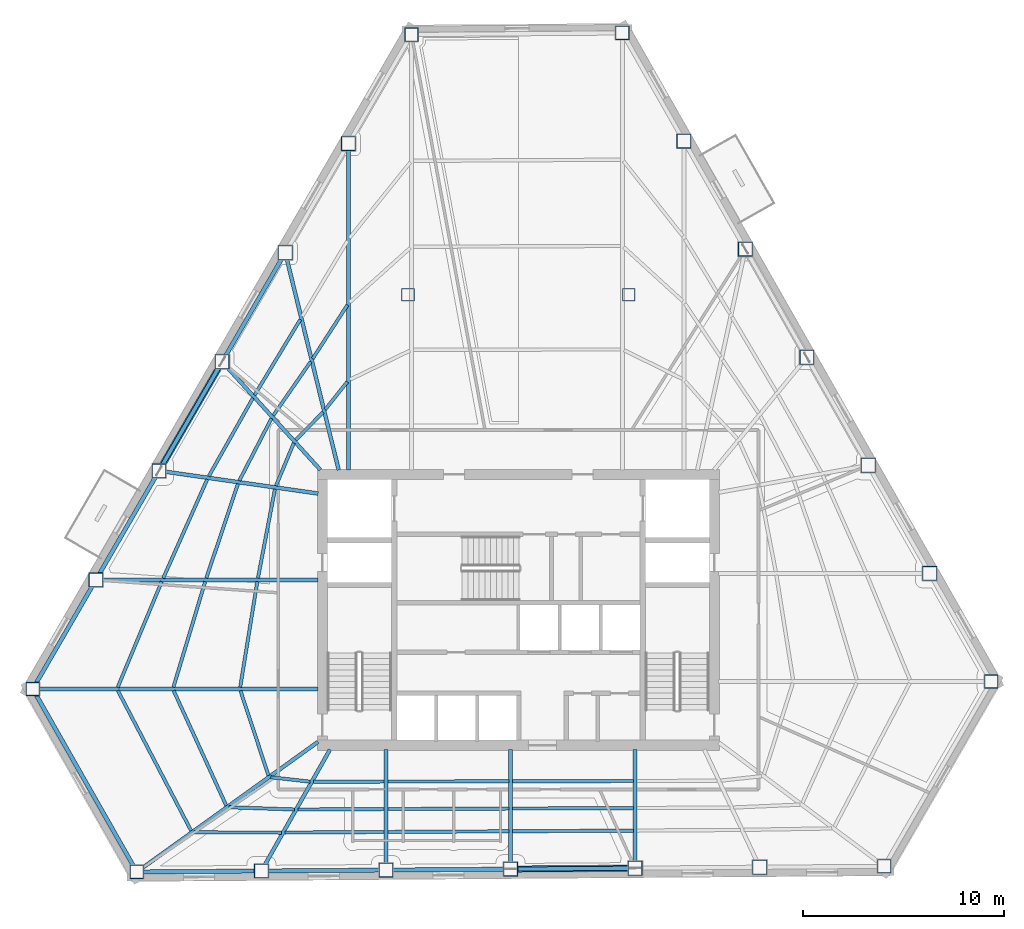
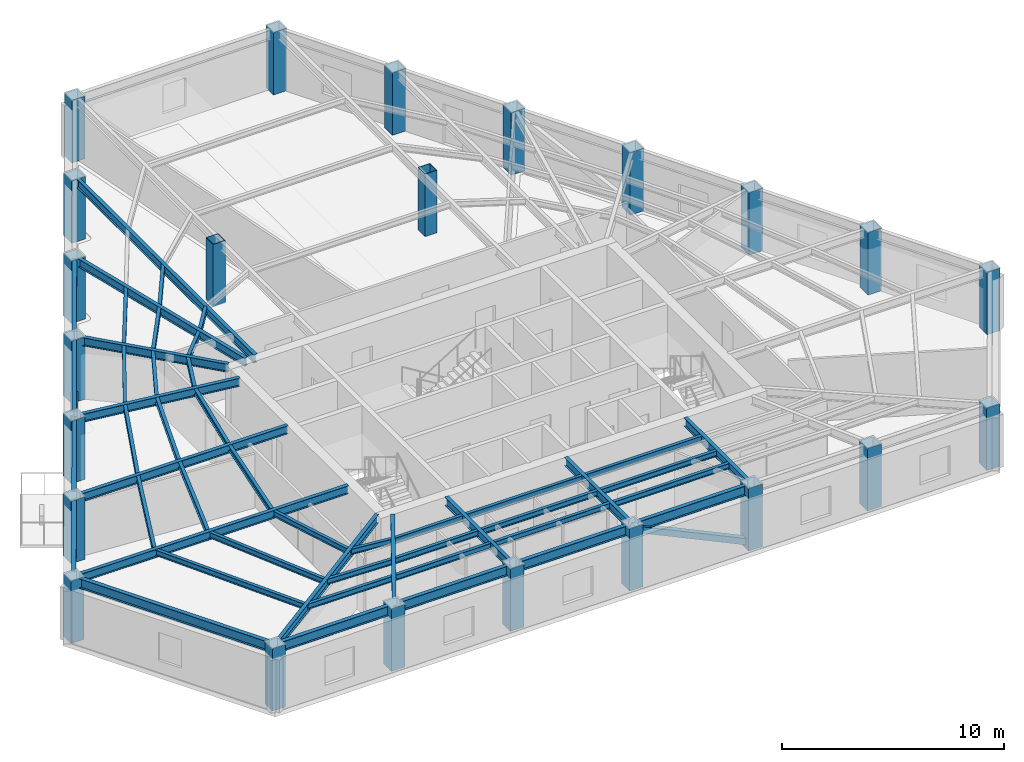
# One storey, part 1 of 10: 49 beams, 23 columns, 2 members.
"""IFC4 building model written with IfcOpenShell, lengths in metres."""

from ifc_helpers import new_model, si_unit, direction, frame, origin, origin_2d, place, context, subcontext, project, spatial, hollow_rectangle, i_section, extrude, material, material_profile, profile_set, type_object, element, save


model = new_model("IFC4")

# Units and contexts
model_context = context("Model", 3, precision=1e-05, world=origin(), true_north=direction((0.0, 1.0)))
body_context = subcontext(model_context, "Body", "Model", "MODEL_VIEW")
ifc_project = project(units=[si_unit("LENGTHUNIT", "METRE"), si_unit("AREAUNIT", "SQUARE_METRE"), si_unit("VOLUMEUNIT", "CUBIC_METRE"), si_unit("PLANEANGLEUNIT", "RADIAN"), si_unit("MASSUNIT", "GRAM", prefix="KILO")], contexts=[model_context])

# Site, building, storey
site_placement = place(None, origin())
site = spatial("IfcSite", under=ifc_project, at=site_placement, CompositionType="ELEMENT")
building_placement = place(site_placement, origin())
building = spatial("IfcBuilding", under=site, at=building_placement, Name="Kavelnor Concourse Tower", CompositionType="ELEMENT")
storey_placement = place(building_placement, frame((0.0, 0.0, 150.949951171875)))
storey = spatial("IfcBuildingStorey", under=building, at=storey_placement, Name="L38", CompositionType="ELEMENT", Elevation=150.949951171875)

# Columns
ifc_material = material(Name="Steel Grade 350", Category="steel")
ifc_material_profile_1 = material_profile(ifc_material, hollow_rectangle(XDim=0.679931640625, YDim=0.679931640625, WallThickness=0.030029296875, at=origin_2d()), Name="SHS 680x680x30")
ifc_profile_set_1 = profile_set([ifc_material_profile_1], Name="Steel Grade 350")
column_type_1 = type_object("IfcColumnType", Name="COL-FOLD-Z2", PredefinedType="COLUMN", material=ifc_profile_set_1)
for number, where, z_axis, x_axis, name in (
    (1, (32.672607421875, 44.76513671875, 0.0), (0.0, 0.0, 1.0), (1.0, 0.0, 0.0), "L38 Perimeter Corner-Fold Column F0-B0"),
    (2, (13.79931640625, 12.155029296875, 0.0), (0.0, 0.0, 1.0), (1.0, 0.0, 0.0), "L38 Perimeter Corner-Fold Column F0-B6"),
    (3, (18.984619140625, 3.03759765625, 0.0), (0.0, 0.0, 1.0), (1.0, 0.0, 0.0), "L38 Perimeter Corner-Fold Column F1-B0"),
    (4, (56.231689453125, 3.31884765625, 0.0), (0.0, 0.0, 1.0), (1.0, 0.0, 0.0), "L38 Perimeter Corner-Fold Column F1-B6"),
    (5, (61.5615234375, 12.5283203125, 0.0), (0.0, 0.0, 1.0), (1.0, 0.0, 0.0), "L38 Perimeter Corner-Fold Column F2-B0"),
    (6, (43.1826171875, 44.844482421875, 0.0), (0.0, 0.0, 1.0), (1.0, 0.0, 0.0), "L38 Perimeter Corner-Fold Column F2-B6"),
):
    element("IfcColumn", number, at=place(storey_placement, frame(where, z_axis=z_axis, x_axis=x_axis)), inside=storey, type_object=column_type_1, Name=name, PredefinedType="COLUMN", context=body_context, shape_type="SweptSolid", body=[
        extrude(hollow_rectangle(XDim=0.679931640625, YDim=0.679931640625, WallThickness=0.030029296875, at=origin_2d()), origin(), (0.0, 0.0, 1.0), 3.429931640625),
    ])
ifc_material_profile_2 = material_profile(ifc_material, hollow_rectangle(XDim=0.719970703125, YDim=0.719970703125, WallThickness=0.031982421875, at=origin_2d()), Name="SHS 720x720x32")
ifc_profile_set_2 = profile_set([ifc_material_profile_2], Name="Steel Grade 350")
column_type_2 = type_object("IfcColumnType", Name="COL-TUBE-Z2", PredefinedType="COLUMN", material=ifc_profile_set_2)
for number, where, z_axis, x_axis, name in (
    (7, (29.527099609375, 39.330078125, 0.0), (0.0, 0.0, 1.0), (1.0, 0.0, 0.0), "L38 Perimeter Framed-Tube Column F0-B1"),
    (8, (26.381591796875, 33.89501953125, 0.0), (0.0, 0.0, 1.0), (1.0, 0.0, 0.0), "L38 Perimeter Framed-Tube Column F0-B2"),
    (9, (23.236083984375, 28.460205078125, 0.0), (0.0, 0.0, 1.0), (1.0, 0.0, 0.0), "L38 Perimeter Framed-Tube Column F0-B3"),
    (10, (20.09033203125, 23.025146484375, 0.0), (0.0, 0.0, 1.0), (1.0, 0.0, 0.0), "L38 Perimeter Framed-Tube Column F0-B4"),
    (11, (16.94482421875, 17.590087890625, 0.0), (0.0, 0.0, 1.0), (1.0, 0.0, 0.0), "L38 Perimeter Framed-Tube Column F0-B5"),
    (12, (25.1923828125, 3.08447265625, 0.0), (0.0, 0.0, 1.0), (1.0, 0.0, 0.0), "L38 Perimeter Framed-Tube Column F1-B1"),
    (13, (31.400146484375, 3.13134765625, 0.0), (0.0, 0.0, 1.0), (1.0, 0.0, 0.0), "L38 Perimeter Framed-Tube Column F1-B2"),
    (14, (37.608154296875, 3.17822265625, 0.0), (0.0, 0.0, 1.0), (1.0, 0.0, 0.0), "L38 Perimeter Framed-Tube Column F1-B3"),
    (15, (43.81591796875, 3.22509765625, 0.0), (0.0, 0.0, 1.0), (1.0, 0.0, 0.0), "L38 Perimeter Framed-Tube Column F1-B4"),
    (16, (50.023681640625, 3.27197265625, 0.0), (0.0, 0.0, 1.0), (1.0, 0.0, 0.0), "L38 Perimeter Framed-Tube Column F1-B5"),
    (17, (58.498291015625, 17.914306640625, 0.0), (0.0, 0.0, 1.0), (1.0, 0.0, 0.0), "L38 Perimeter Framed-Tube Column F2-B1"),
    (18, (55.435302734375, 23.30029296875, 0.0), (0.0, 0.0, 1.0), (1.0, 0.0, 0.0), "L38 Perimeter Framed-Tube Column F2-B2"),
    (19, (52.3720703125, 28.686279296875, 0.0), (0.0, 0.0, 1.0), (1.0, 0.0, 0.0), "L38 Perimeter Framed-Tube Column F2-B3"),
    (20, (49.308837890625, 34.072509765625, 0.0), (0.0, 0.0, 1.0), (1.0, 0.0, 0.0), "L38 Perimeter Framed-Tube Column F2-B4"),
    (21, (46.245849609375, 39.45849609375, 0.0), (0.0, 0.0, 1.0), (1.0, 0.0, 0.0), "L38 Perimeter Framed-Tube Column F2-B5"),
):
    element("IfcColumn", number, at=place(storey_placement, frame(where, z_axis=z_axis, x_axis=x_axis)), inside=storey, type_object=column_type_2, Name=name, PredefinedType="COLUMN", context=body_context, shape_type="SweptSolid", body=[
        extrude(hollow_rectangle(XDim=0.719970703125, YDim=0.719970703125, WallThickness=0.031982421875, at=origin_2d()), origin(), (0.0, 0.0, 1.0), 3.429931640625),
    ])
ifc_material_profile_3 = material_profile(ifc_material, hollow_rectangle(XDim=0.639892578125, YDim=0.639892578125, WallThickness=0.028076171875, at=origin_2d()), Name="SHS 640x640x28")
ifc_profile_set_3 = profile_set([ifc_material_profile_3], Name="Steel Grade 350")
column_type_3 = type_object("IfcColumnType", Name="COL-TUBE-Z3", PredefinedType="COLUMN", material=ifc_profile_set_3)
for number, where, z_axis, x_axis, name in (
    (22, (32.5, 31.800048828125, 0.0), (0.0, 0.0, 1.0), (1.0, 0.0, 0.0), "L38 North Interior Gravity Column BC-NW"),
    (23, (43.5, 31.800048828125, 0.0), (0.0, 0.0, 1.0), (1.0, 0.0, 0.0), "L38 North Interior Gravity Column BC-NE"),
):
    element("IfcColumn", number, at=place(storey_placement, frame(where, z_axis=z_axis, x_axis=x_axis)), inside=storey, type_object=column_type_3, Name=name, PredefinedType="COLUMN", context=body_context, shape_type="SweptSolid", body=[
        extrude(hollow_rectangle(XDim=0.639892578125, YDim=0.639892578125, WallThickness=0.028076171875, at=origin_2d()), origin(), (0.0, 0.0, 1.0), 3.429931640625),
    ])

# Beams
ifc_material_profile_4 = material_profile(ifc_material, i_section(OverallWidth=0.166015625, OverallDepth=0.306884765625, WebThickness=0.006591796875, FlangeThickness=0.01171875, at=origin_2d()), Name="310UB46")
ifc_profile_set_4 = profile_set([ifc_material_profile_4], Name="Steel Grade 350")
beam_type_1 = type_object("IfcBeamType", Name="BM-JOIST-310", PredefinedType="JOIST", material=ifc_profile_set_4)
beam_1_placement = place(storey_placement, frame((24.150146484375, 12.070556640625, 3.276611328125), z_axis=(0.313391820226, -0.949623908195, 0.0), x_axis=(0.949623908195, 0.313391820226, 0.0)))
element("IfcBeam", 24, at=beam_1_placement, inside=storey, type_object=beam_type_1, Name="L38 Secondary Composite Joist 01-1", PredefinedType="JOIST", context=body_context, shape_type="SweptSolid", body=[
    extrude(i_section(OverallWidth=0.166015625, OverallDepth=0.306884765625, WebThickness=0.006591796875, FlangeThickness=0.01171875, at=origin_2d()), origin(), (0.0, 0.0, 1.0), 4.4443359375),
])
beam_2_placement = place(storey_placement, frame((20.818359375, 12.07421875, 3.276611328125), z_axis=(0.416157072078, -0.909292742388, 0.0), x_axis=(0.909292742388, 0.416157072078, 0.0)))
element("IfcBeam", 25, at=beam_2_placement, inside=storey, type_object=beam_type_1, Name="L38 Secondary Composite Joist 01-2", PredefinedType="JOIST", context=body_context, shape_type="SweptSolid", body=[
    extrude(i_section(OverallWidth=0.166015625, OverallDepth=0.306884765625, WebThickness=0.006591796875, FlangeThickness=0.01171875, at=origin_2d()), origin(), (0.0, 0.0, 1.0), 6.3017578125),
])
beam_3_placement = place(storey_placement, frame((18.038330078125, 12.076171875, 3.276611328125), z_axis=(0.463476953158, -0.88610897405, 0.0), x_axis=(0.88610897405, 0.463476953158, 0.0)))
element("IfcBeam", 26, at=beam_3_placement, inside=storey, type_object=beam_type_1, Name="L38 Secondary Composite Joist 01-3", PredefinedType="JOIST", context=body_context, shape_type="SweptSolid", body=[
    extrude(i_section(OverallWidth=0.166015625, OverallDepth=0.306884765625, WebThickness=0.006591796875, FlangeThickness=0.01171875, at=origin_2d()), origin(), (0.0, 0.0, 1.0), 7.884033203125),
])
beam_4_placement = place(storey_placement, frame((25.6591796875, 7.755615234375, 3.276611328125), z_axis=(0.993745108474, -0.111672106565, 0.0), x_axis=(0.111672106565, 0.993745108474, 0.0)))
element("IfcBeam", 27, at=beam_4_placement, inside=storey, type_object=beam_type_1, Name="L38 Secondary Composite Joist 02-1", PredefinedType="JOIST", context=body_context, shape_type="SweptSolid", body=[
    extrude(i_section(OverallWidth=0.166015625, OverallDepth=0.306884765625, WebThickness=0.006591796875, FlangeThickness=0.01171875, at=origin_2d()), origin(), (0.0, 0.0, 1.0), 1.96533203125),
])
beam_5_placement = place(storey_placement, frame((23.56689453125, 6.260009765625, 3.276611328125), z_axis=(0.999437252486, -0.033543678156, 0.0), x_axis=(0.033543678156, 0.999437252486, 0.0)))
element("IfcBeam", 28, at=beam_5_placement, inside=storey, type_object=beam_type_1, Name="L38 Secondary Composite Joist 02-2", PredefinedType="JOIST", context=body_context, shape_type="SweptSolid", body=[
    extrude(i_section(OverallWidth=0.166015625, OverallDepth=0.306884765625, WebThickness=0.006591796875, FlangeThickness=0.01171875, at=origin_2d()), origin(), (0.0, 0.0, 1.0), 3.26806640625),
])
beam_6_placement = place(storey_placement, frame((21.82275390625, 5.0107421875, 3.276611328125), z_axis=(0.999996083032, -0.002798914249, 0.0), x_axis=(0.002798914249, 0.999996083032, 0.0)))
element("IfcBeam", 29, at=beam_6_placement, inside=storey, type_object=beam_type_1, Name="L38 Secondary Composite Joist 02-3", PredefinedType="JOIST", context=body_context, shape_type="SweptSolid", body=[
    extrude(i_section(OverallWidth=0.166015625, OverallDepth=0.306884765625, WebThickness=0.006591796875, FlangeThickness=0.01171875, at=origin_2d()), origin(), (0.0, 0.0, 1.0), 4.361328125),
])
beam_7_placement = place(storey_placement, frame((27.789794921875, 7.526611328125, 3.276611328125), z_axis=(0.99999134842, 0.004159697789, 0.0), x_axis=(-0.004159697789, 0.99999134842, 0.0)))
element("IfcBeam", 30, at=beam_7_placement, inside=storey, type_object=beam_type_1, Name="L38 Secondary Composite Joist 03-1", PredefinedType="JOIST", context=body_context, shape_type="SweptSolid", body=[
    extrude(i_section(OverallWidth=0.166015625, OverallDepth=0.306884765625, WebThickness=0.006591796875, FlangeThickness=0.01171875, at=origin_2d()), origin(), (0.0, 0.0, 1.0), 3.521484375),
])
beam_8_placement = place(storey_placement, frame((27.010986328125, 6.147705078125, 3.276611328125), z_axis=(0.999985455736, 0.005393358595, 0.0), x_axis=(-0.005393358595, 0.999985455736, 0.0)))
element("IfcBeam", 31, at=beam_8_placement, inside=storey, type_object=beam_type_1, Name="L38 Secondary Composite Joist 03-2", PredefinedType="JOIST", context=body_context, shape_type="SweptSolid", body=[
    extrude(i_section(OverallWidth=0.166015625, OverallDepth=0.306884765625, WebThickness=0.006591796875, FlangeThickness=0.01171875, at=origin_2d()), origin(), (0.0, 0.0, 1.0), 4.30029296875),
])
beam_9_placement = place(storey_placement, frame((26.362060546875, 4.998779296875, 3.276611328125), z_axis=(0.999980989898, 0.00616602327, 0.0), x_axis=(-0.00616602327, 0.999980989898, 0.0)))
element("IfcBeam", 32, at=beam_9_placement, inside=storey, type_object=beam_type_1, Name="L38 Secondary Composite Joist 03-3", PredefinedType="JOIST", context=body_context, shape_type="SweptSolid", body=[
    extrude(i_section(OverallWidth=0.166015625, OverallDepth=0.306884765625, WebThickness=0.006591796875, FlangeThickness=0.01171875, at=origin_2d()), origin(), (0.0, 0.0, 1.0), 4.94921875),
])
for number, where, z_axis, x_axis, name in (
    (33, (31.4892578125, 7.541748046875, 3.276611328125), (0.999997783582, 0.002105428972, 0.0), (-0.002105428972, 0.999997783582, 0.0), "L38 Secondary Composite Joist 04-1"),
    (34, (31.4892578125, 6.171875, 3.276611328125), (0.999992287683, 0.003927413228, 0.0), (-0.003927413228, 0.999992287683, 0.0), "L38 Secondary Composite Joist 04-2"),
    (35, (31.4892578125, 5.0302734375, 3.276611328125), (0.99998528208, 0.005425460677, 0.0), (-0.005425460677, 0.99998528208, 0.0), "L38 Secondary Composite Joist 04-3"),
):
    element("IfcBeam", number, at=place(storey_placement, frame(where, z_axis=z_axis, x_axis=x_axis)), inside=storey, type_object=beam_type_1, Name=name, PredefinedType="JOIST", context=body_context, shape_type="SweptSolid", body=[
        extrude(i_section(OverallWidth=0.166015625, OverallDepth=0.306884765625, WebThickness=0.006591796875, FlangeThickness=0.01171875, at=origin_2d()), origin(), (0.0, 0.0, 1.0), 6.02978515625),
    ])
for number, where, z_axis, x_axis, name in (
    (36, (37.697021484375, 7.554931640625, 3.276611328125), (0.999997783761, 0.002105343729, 0.0), (-0.002105343729, 0.999997783761, 0.0), "L38 Secondary Composite Joist 05-1"),
    (37, (37.697021484375, 6.1962890625, 3.276611328125), (0.999992288307, 0.003927254219, 0.0), (-0.003927254219, 0.999992288307, 0.0), "L38 Secondary Composite Joist 05-2"),
    (38, (37.697021484375, 5.06396484375, 3.276611328125), (0.999985283272, 0.00542524102, 0.0), (-0.00542524102, 0.999985283272, 0.0), "L38 Secondary Composite Joist 05-3"),
):
    element("IfcBeam", number, at=place(storey_placement, frame(where, z_axis=z_axis, x_axis=x_axis)), inside=storey, type_object=beam_type_1, Name=name, PredefinedType="JOIST", context=body_context, shape_type="SweptSolid", body=[
        extrude(i_section(OverallWidth=0.166015625, OverallDepth=0.306884765625, WebThickness=0.006591796875, FlangeThickness=0.01171875, at=origin_2d()), origin(), (0.0, 0.0, 1.0), 6.030029296875),
    ])
beam_10_placement = place(storey_placement, frame((29.4716796875, 27.4619140625, 3.276611328125), z_axis=(-0.621482605563, -0.783427961578, 0.0), x_axis=(0.783427961578, -0.621482605563, 0.0)))
element("IfcBeam", 39, at=beam_10_placement, inside=storey, type_object=beam_type_1, Name="L38 Secondary Composite Joist 17-1", PredefinedType="JOIST", context=body_context, shape_type="SweptSolid", body=[
    extrude(i_section(OverallWidth=0.166015625, OverallDepth=0.306884765625, WebThickness=0.006591796875, FlangeThickness=0.01171875, at=origin_2d()), origin(), (0.0, 0.0, 1.0), 1.763916015625),
])
beam_11_placement = place(storey_placement, frame((29.478759765625, 31.289794921875, 3.276611328125), z_axis=(-0.54314332222, -0.839640001148, 0.0), x_axis=(0.839640001148, -0.54314332222, 0.0)))
element("IfcBeam", 40, at=beam_11_placement, inside=storey, type_object=beam_type_1, Name="L38 Secondary Composite Joist 17-2", PredefinedType="JOIST", context=body_context, shape_type="SweptSolid", body=[
    extrude(i_section(OverallWidth=0.166015625, OverallDepth=0.306884765625, WebThickness=0.006591796875, FlangeThickness=0.01171875, at=origin_2d()), origin(), (0.0, 0.0, 1.0), 3.188232421875),
])
beam_12_placement = place(storey_placement, frame((28.258056640625, 25.946533203125, 3.276611328125), z_axis=(-0.697735639561, -0.716355342889, 0.0), x_axis=(0.716355342889, -0.697735639561, 0.0)))
element("IfcBeam", 41, at=beam_12_placement, inside=storey, type_object=beam_type_1, Name="L38 Secondary Composite Joist 18-1", PredefinedType="JOIST", context=body_context, shape_type="SweptSolid", body=[
    extrude(i_section(OverallWidth=0.166015625, OverallDepth=0.306884765625, WebThickness=0.006591796875, FlangeThickness=0.01171875, at=origin_2d()), origin(), (0.0, 0.0, 1.0), 1.940673828125),
])
beam_13_placement = place(storey_placement, frame((27.64794921875, 28.465087890625, 3.276611328125), z_axis=(-0.570733549191, -0.821135321264, 0.0), x_axis=(0.821135321264, -0.570733549191, 0.0)))
element("IfcBeam", 42, at=beam_13_placement, inside=storey, type_object=beam_type_1, Name="L38 Secondary Composite Joist 18-2", PredefinedType="JOIST", context=body_context, shape_type="SweptSolid", body=[
    extrude(i_section(OverallWidth=0.166015625, OverallDepth=0.306884765625, WebThickness=0.006591796875, FlangeThickness=0.01171875, at=origin_2d()), origin(), (0.0, 0.0, 1.0), 3.264404296875),
])
beam_14_placement = place(storey_placement, frame((27.134521484375, 30.568603515625, 3.276611328125), z_axis=(-0.517649862823, -0.855592554619, 0.0), x_axis=(0.855592554619, -0.517649862823, 0.0)))
element("IfcBeam", 43, at=beam_14_placement, inside=storey, type_object=beam_type_1, Name="L38 Secondary Composite Joist 18-3", PredefinedType="JOIST", context=body_context, shape_type="SweptSolid", body=[
    extrude(i_section(OverallWidth=0.166015625, OverallDepth=0.306884765625, WebThickness=0.006591796875, FlangeThickness=0.01171875, at=origin_2d()), origin(), (0.0, 0.0, 1.0), 4.400390625),
])
beam_15_placement = place(storey_placement, frame((26.8076171875, 24.410400390625, 3.276611328125), z_axis=(-0.385591659841, -0.922669535566, 0.0), x_axis=(0.922669535566, -0.385591659841, 0.0)))
element("IfcBeam", 44, at=beam_15_placement, inside=storey, type_object=beam_type_1, Name="L38 Secondary Composite Joist 19-1", PredefinedType="JOIST", context=body_context, shape_type="SweptSolid", body=[
    extrude(i_section(OverallWidth=0.166015625, OverallDepth=0.306884765625, WebThickness=0.006591796875, FlangeThickness=0.01171875, at=origin_2d()), origin(), (0.0, 0.0, 1.0), 2.307861328125),
])
beam_16_placement = place(storey_placement, frame((25.693115234375, 25.632568359375, 3.276611328125), z_axis=(-0.459314209902, -0.888273863503, 0.0), x_axis=(0.888273863503, -0.459314209902, 0.0)))
element("IfcBeam", 45, at=beam_16_placement, inside=storey, type_object=beam_type_1, Name="L38 Secondary Composite Joist 19-2", PredefinedType="JOIST", context=body_context, shape_type="SweptSolid", body=[
    extrude(i_section(OverallWidth=0.166015625, OverallDepth=0.306884765625, WebThickness=0.006591796875, FlangeThickness=0.01171875, at=origin_2d()), origin(), (0.0, 0.0, 1.0), 3.482666015625),
])
beam_17_placement = place(storey_placement, frame((24.76708984375, 26.64990234375, 3.276611328125), z_axis=(-0.491233035258, -0.871028188448, 0.0), x_axis=(0.871028188448, -0.491233035258, 0.0)))
element("IfcBeam", 46, at=beam_17_placement, inside=storey, type_object=beam_type_1, Name="L38 Secondary Composite Joist 19-3", PredefinedType="JOIST", context=body_context, shape_type="SweptSolid", body=[
    extrude(i_section(OverallWidth=0.166015625, OverallDepth=0.306884765625, WebThickness=0.006591796875, FlangeThickness=0.01171875, at=origin_2d()), origin(), (0.0, 0.0, 1.0), 4.471435546875),
])
beam_18_placement = place(storey_placement, frame((25.86669921875, 22.111328125, 3.276611328125), z_axis=(-0.187621572446, -0.982241388638, 0.0), x_axis=(0.982241388638, -0.187621572446, 0.0)))
element("IfcBeam", 47, at=beam_18_placement, inside=storey, type_object=beam_type_1, Name="L38 Secondary Composite Joist 20-1", PredefinedType="JOIST", context=body_context, shape_type="SweptSolid", body=[
    extrude(i_section(OverallWidth=0.166015625, OverallDepth=0.306884765625, WebThickness=0.006591796875, FlangeThickness=0.01171875, at=origin_2d()), origin(), (0.0, 0.0, 1.0), 4.513916015625),
])
beam_19_placement = place(storey_placement, frame((24.0244140625, 22.37548828125, 3.276611328125), z_axis=(-0.318412690981, -0.94795219195, 0.0), x_axis=(0.94795219195, -0.318412690981, 0.0)))
element("IfcBeam", 48, at=beam_19_placement, inside=storey, type_object=beam_type_1, Name="L38 Secondary Composite Joist 20-2", PredefinedType="JOIST", context=body_context, shape_type="SweptSolid", body=[
    extrude(i_section(OverallWidth=0.166015625, OverallDepth=0.306884765625, WebThickness=0.006591796875, FlangeThickness=0.01171875, at=origin_2d()), origin(), (0.0, 0.0, 1.0), 4.959228515625),
])
beam_20_placement = place(storey_placement, frame((22.49072265625, 22.59619140625, 3.276611328125), z_axis=(-0.406730858807, -0.913548032943, 0.0), x_axis=(0.913548032943, -0.406730858807, 0.0)))
element("IfcBeam", 49, at=beam_20_placement, inside=storey, type_object=beam_type_1, Name="L38 Secondary Composite Joist 20-3", PredefinedType="JOIST", context=body_context, shape_type="SweptSolid", body=[
    extrude(i_section(OverallWidth=0.166015625, OverallDepth=0.306884765625, WebThickness=0.006591796875, FlangeThickness=0.01171875, at=origin_2d()), origin(), (0.0, 0.0, 1.0), 5.390869140625),
])
beam_21_placement = place(storey_placement, frame((24.98876953125, 17.502197265625, 3.276611328125), z_axis=(-0.159968585605, -0.987122105729, 0.0), x_axis=(0.987122105729, -0.159968585605, 0.0)))
element("IfcBeam", 50, at=beam_21_placement, inside=storey, type_object=beam_type_1, Name="L38 Secondary Composite Joist 21-1", PredefinedType="JOIST", context=body_context, shape_type="SweptSolid", body=[
    extrude(i_section(OverallWidth=0.166015625, OverallDepth=0.306884765625, WebThickness=0.006591796875, FlangeThickness=0.01171875, at=origin_2d()), origin(), (0.0, 0.0, 1.0), 5.327880859375),
])
beam_22_placement = place(storey_placement, frame((22.391357421875, 17.5048828125, 3.276611328125), z_axis=(-0.288195154296, -0.957571696031, 0.0), x_axis=(0.957571696031, -0.288195154296, 0.0)))
element("IfcBeam", 51, at=beam_22_placement, inside=storey, type_object=beam_type_1, Name="L38 Secondary Composite Joist 21-2", PredefinedType="JOIST", context=body_context, shape_type="SweptSolid", body=[
    extrude(i_section(OverallWidth=0.166015625, OverallDepth=0.306884765625, WebThickness=0.006591796875, FlangeThickness=0.01171875, at=origin_2d()), origin(), (0.0, 0.0, 1.0), 5.497802734375),
])
beam_23_placement = place(storey_placement, frame((20.227783203125, 17.5078125, 3.276611328125), z_axis=(-0.384688248084, -0.923046559923, 0.0), x_axis=(0.923046559923, -0.384688248084, 0.0)))
element("IfcBeam", 52, at=beam_23_placement, inside=storey, type_object=beam_type_1, Name="L38 Secondary Composite Joist 21-3", PredefinedType="JOIST", context=body_context, shape_type="SweptSolid", body=[
    extrude(i_section(OverallWidth=0.166015625, OverallDepth=0.306884765625, WebThickness=0.006591796875, FlangeThickness=0.01171875, at=origin_2d()), origin(), (0.0, 0.0, 1.0), 5.7099609375),
])
ifc_material_profile_5 = material_profile(ifc_material, i_section(OverallWidth=0.18994140625, OverallDepth=0.4541015625, WebThickness=0.008544921875, FlangeThickness=0.0126953125, at=origin_2d()), Name="460UB67")
ifc_profile_set_5 = profile_set([ifc_material_profile_5], Name="Steel Grade 350")
beam_type_2 = type_object("IfcBeamType", Name="BM-PRIMARY-460", PredefinedType="BEAM", material=ifc_profile_set_5)
beam_24_placement = place(storey_placement, frame((29.527099609375, 23.06005859375, 3.203125), z_axis=(0.0, 1.0, 0.0), x_axis=(-1.0, 0.0, 0.0)))
element("IfcBeam", 53, at=beam_24_placement, inside=storey, type_object=beam_type_2, Name="L38 Primary Floor Girder F0-B1", PredefinedType="BEAM", context=body_context, shape_type="SweptSolid", body=[
    extrude(i_section(OverallWidth=0.18994140625, OverallDepth=0.4541015625, WebThickness=0.008544921875, FlangeThickness=0.0126953125, at=origin_2d()), origin(), (0.0, 0.0, 1.0), 15.97021484375),
])
beam_25_placement = place(storey_placement, frame((29.04541015625, 23.061279296875, 3.203125), z_axis=(-0.238773507041, 0.971075286646, 0.0), x_axis=(-0.971075286646, -0.238773507041, 0.0)))
element("IfcBeam", 54, at=beam_25_placement, inside=storey, type_object=beam_type_2, Name="L38 Primary Floor Girder F0-B2", PredefinedType="BEAM", context=body_context, shape_type="SweptSolid", body=[
    extrude(i_section(OverallWidth=0.18994140625, OverallDepth=0.4541015625, WebThickness=0.008544921875, FlangeThickness=0.0126953125, at=origin_2d()), origin(), (0.0, 0.0, 1.0), 10.846435546875),
])
beam_26_placement = place(storey_placement, frame((28.134521484375, 23.0703125, 3.203125), z_axis=(-0.672582497339, 0.740022151205, 0.0), x_axis=(-0.740022151205, -0.672582497339, 0.0)))
element("IfcBeam", 55, at=beam_26_placement, inside=storey, type_object=beam_type_2, Name="L38 Primary Floor Girder F0-B3", PredefinedType="BEAM", context=body_context, shape_type="SweptSolid", body=[
    extrude(i_section(OverallWidth=0.18994140625, OverallDepth=0.4541015625, WebThickness=0.008544921875, FlangeThickness=0.0126953125, at=origin_2d()), origin(), (0.0, 0.0, 1.0), 6.86376953125),
])
beam_27_placement = place(storey_placement, frame((28.01953125, 21.89404296875, 3.203125), z_axis=(-0.989979885869, 0.141208447253, 0.0), x_axis=(-0.141208447253, -0.989979885869, 0.0)))
element("IfcBeam", 56, at=beam_27_placement, inside=storey, type_object=beam_type_2, Name="L38 Primary Floor Girder F0-B4", PredefinedType="BEAM", context=body_context, shape_type="SweptSolid", body=[
    extrude(i_section(OverallWidth=0.18994140625, OverallDepth=0.4541015625, WebThickness=0.008544921875, FlangeThickness=0.0126953125, at=origin_2d()), origin(), (0.0, 0.0, 1.0), 7.705810546875),
])
beam_28_placement = place(storey_placement, frame((28.02001953125, 17.590087890625, 3.203125), z_axis=(-1.0, 0.0, 0.0), x_axis=(0.0, -1.0, 0.0)))
element("IfcBeam", 57, at=beam_28_placement, inside=storey, type_object=beam_type_2, Name="L38 Primary Floor Girder F0-B5", PredefinedType="BEAM", context=body_context, shape_type="SweptSolid", body=[
    extrude(i_section(OverallWidth=0.18994140625, OverallDepth=0.4541015625, WebThickness=0.008544921875, FlangeThickness=0.0126953125, at=origin_2d()), origin(), (0.0, 0.0, 1.0), 10.775146484375),
])
beam_29_placement = place(storey_placement, frame((28.02001953125, 12.155029296875, 3.203125), z_axis=(-1.0, 0.0, 0.0), x_axis=(0.0, -1.0, 0.0)))
element("IfcBeam", 58, at=beam_29_placement, inside=storey, type_object=beam_type_2, Name="L38 Primary Floor Girder F0-B6", PredefinedType="BEAM", context=body_context, shape_type="SweptSolid", body=[
    extrude(i_section(OverallWidth=0.18994140625, OverallDepth=0.4541015625, WebThickness=0.008544921875, FlangeThickness=0.0126953125, at=origin_2d()), origin(), (0.0, 0.0, 1.0), 13.920654296875),
])
beam_30_placement = place(storey_placement, frame((28.012451171875, 9.518310546875, 3.203125), z_axis=(-0.812360476132, -0.583155602578, 0.0), x_axis=(0.583155602578, -0.812360476132, 0.0)))
element("IfcBeam", 59, at=beam_30_placement, inside=storey, type_object=beam_type_2, Name="L38 Primary Floor Girder F1-B0", PredefinedType="BEAM", context=body_context, shape_type="SweptSolid", body=[
    extrude(i_section(OverallWidth=0.18994140625, OverallDepth=0.4541015625, WebThickness=0.008544921875, FlangeThickness=0.0126953125, at=origin_2d()), origin(), (0.0, 0.0, 1.0), 10.734619140625),
])
beam_31_placement = place(storey_placement, frame((28.609130859375, 9.134765625, 3.203125), z_axis=(-0.491729233394, -0.870748161655, 0.0), x_axis=(0.870748161655, -0.491729233394, 0.0)))
element("IfcBeam", 60, at=beam_31_placement, inside=storey, type_object=beam_type_2, Name="L38 Primary Floor Girder F1-B1", PredefinedType="BEAM", context=body_context, shape_type="SweptSolid", body=[
    extrude(i_section(OverallWidth=0.18994140625, OverallDepth=0.4541015625, WebThickness=0.008544921875, FlangeThickness=0.0126953125, at=origin_2d()), origin(), (0.0, 0.0, 1.0), 6.597900390625),
])
beam_32_placement = place(storey_placement, frame((31.400146484375, 9.139892578125, 3.203125), z_axis=(0.0, -1.0, 0.0), x_axis=(1.0, 0.0, 0.0)))
element("IfcBeam", 61, at=beam_32_placement, inside=storey, type_object=beam_type_2, Name="L38 Primary Floor Girder F1-B2", PredefinedType="BEAM", context=body_context, shape_type="SweptSolid", body=[
    extrude(i_section(OverallWidth=0.18994140625, OverallDepth=0.4541015625, WebThickness=0.008544921875, FlangeThickness=0.0126953125, at=origin_2d()), origin(), (0.0, 0.0, 1.0), 5.70849609375),
])
beam_33_placement = place(storey_placement, frame((37.608154296875, 9.139892578125, 3.203125), z_axis=(0.0, -1.0, 0.0), x_axis=(1.0, 0.0, 0.0)))
element("IfcBeam", 62, at=beam_33_placement, inside=storey, type_object=beam_type_2, Name="L38 Primary Floor Girder F1-B3", PredefinedType="BEAM", context=body_context, shape_type="SweptSolid", body=[
    extrude(i_section(OverallWidth=0.18994140625, OverallDepth=0.4541015625, WebThickness=0.008544921875, FlangeThickness=0.0126953125, at=origin_2d()), origin(), (0.0, 0.0, 1.0), 5.66162109375),
])
beam_34_placement = place(storey_placement, frame((43.81591796875, 9.139892578125, 3.203125), z_axis=(0.0, -1.0, 0.0), x_axis=(1.0, 0.0, 0.0)))
element("IfcBeam", 63, at=beam_34_placement, inside=storey, type_object=beam_type_2, Name="L38 Primary Floor Girder F1-B4", PredefinedType="BEAM", context=body_context, shape_type="SweptSolid", body=[
    extrude(i_section(OverallWidth=0.18994140625, OverallDepth=0.4541015625, WebThickness=0.008544921875, FlangeThickness=0.0126953125, at=origin_2d()), origin(), (0.0, 0.0, 1.0), 5.61474609375),
])
ifc_material_profile_6 = material_profile(ifc_material, i_section(OverallWidth=0.208984375, OverallDepth=0.532958984375, WebThickness=0.01025390625, FlangeThickness=0.015625, at=origin_2d()), Name="530UB92")
ifc_profile_set_6 = profile_set([ifc_material_profile_6], Name="Steel Grade 350")
beam_type_3 = type_object("IfcBeamType", Name="BM-SPANDREL-Z2", PredefinedType="SPANDREL", material=ifc_profile_set_6)
beam_35_placement = place(storey_placement, frame((26.228759765625, 33.631103515625, 3.16357421875), z_axis=(-0.50089876914, -0.865505876973, 0.0), x_axis=(0.865505876973, -0.50089876914, 0.0)))
element("IfcBeam", 64, at=beam_35_placement, inside=storey, type_object=beam_type_3, Name="L38 Perimeter Tube Spandrel Beam F0-B2", PredefinedType="SPANDREL", context=body_context, shape_type="SweptSolid", body=[
    extrude(i_section(OverallWidth=0.208984375, OverallDepth=0.532958984375, WebThickness=0.01025390625, FlangeThickness=0.015625, at=origin_2d()), origin(), (0.0, 0.0, 1.0), 5.66943359375),
])
beam_36_placement = place(storey_placement, frame((23.083251953125, 28.196044921875, 3.16357421875), z_axis=(-0.500931025961, -0.865487208011, 0.0), x_axis=(0.865487208011, -0.500931025961, 0.0)))
element("IfcBeam", 65, at=beam_36_placement, inside=storey, type_object=beam_type_3, Name="L38 Perimeter Tube Spandrel Beam F0-B3", PredefinedType="SPANDREL", context=body_context, shape_type="SweptSolid", body=[
    extrude(i_section(OverallWidth=0.208984375, OverallDepth=0.532958984375, WebThickness=0.01025390625, FlangeThickness=0.015625, at=origin_2d()), origin(), (0.0, 0.0, 1.0), 5.669677734375),
])
for number, where, z_axis, x_axis, name in (
    (66, (19.9375, 22.760986328125, 3.16357421875), (-0.50089876914, -0.865505876973, 0.0), (0.865505876973, -0.50089876914, 0.0), "L38 Perimeter Tube Spandrel Beam F0-B4"),
    (67, (16.7919921875, 17.325927734375, 3.16357421875), (-0.50089876914, -0.865505876973, 0.0), (0.865505876973, -0.50089876914, 0.0), "L38 Perimeter Tube Spandrel Beam F0-B5"),
):
    element("IfcBeam", number, at=place(storey_placement, frame(where, z_axis=z_axis, x_axis=x_axis)), inside=storey, type_object=beam_type_3, Name=name, PredefinedType="SPANDREL", context=body_context, shape_type="SweptSolid", body=[
        extrude(i_section(OverallWidth=0.208984375, OverallDepth=0.532958984375, WebThickness=0.01025390625, FlangeThickness=0.015625, at=origin_2d()), origin(), (0.0, 0.0, 1.0), 5.66943359375),
    ])
for number, where, z_axis, x_axis, name in (
    (68, (19.28955078125, 3.039794921875, 3.16357421875), (0.999971207491, 0.007588424707, 0.0), (-0.007588424707, 0.999971207491, 0.0), "L38 Perimeter Tube Spandrel Beam F1-B0"),
    (69, (25.497314453125, 3.0869140625, 3.16357421875), (0.999971865556, 0.007501206371, 0.0), (-0.007501206371, 0.999971865556, 0.0), "L38 Perimeter Tube Spandrel Beam F1-B1"),
    (70, (31.705078125, 3.133544921875, 3.16357421875), (0.999971537474, 0.00754481556, 0.0), (-0.00754481556, 0.999971537474, 0.0), "L38 Perimeter Tube Spandrel Beam F1-B2"),
    (71, (37.9130859375, 3.180419921875, 3.16357421875), (0.999971207491, 0.007588424707, 0.0), (-0.007588424707, 0.999971207491, 0.0), "L38 Perimeter Tube Spandrel Beam F1-B3"),
):
    element("IfcBeam", number, at=place(storey_placement, frame(where, z_axis=z_axis, x_axis=x_axis)), inside=storey, type_object=beam_type_3, Name=name, PredefinedType="SPANDREL", context=body_context, shape_type="SweptSolid", body=[
        extrude(i_section(OverallWidth=0.208984375, OverallDepth=0.532958984375, WebThickness=0.01025390625, FlangeThickness=0.015625, at=origin_2d()), origin(), (0.0, 0.0, 1.0), 5.59814453125),
    ])
beam_37_placement = place(storey_placement, frame((13.9501953125, 11.889892578125, 3.16357421875), z_axis=(0.494352024831, -0.869261799199, 0.0), x_axis=(0.869261799199, 0.494352024831, 0.0)))
element("IfcBeam", 72, at=beam_37_placement, inside=storey, type_object=beam_type_3, Name="L38 Chamfer Facet Spandrel Beam C1", PredefinedType="SPANDREL", context=body_context, shape_type="SweptSolid", body=[
    extrude(i_section(OverallWidth=0.208984375, OverallDepth=0.532958984375, WebThickness=0.01025390625, FlangeThickness=0.015625, at=origin_2d()), origin(), (0.0, 0.0, 1.0), 9.878662109375),
])

# Members
ifc_material_profile_7 = material_profile(ifc_material, hollow_rectangle(XDim=0.320068359375, YDim=0.320068359375, WallThickness=0.01806640625, at=origin_2d()), Name="SHS 320x320x18")
ifc_profile_set_7 = profile_set([ifc_material_profile_7], Name="Steel Grade 350")
member_type = type_object("IfcMemberType", Name="MBR-TUBE-DIAG-Z2", PredefinedType="BRACE", material=ifc_profile_set_7)
member_1_placement = place(storey_placement, frame((23.236083984375, 28.460205078125, 0.219970703125), z_axis=(-0.453575977829, -0.783663827584, 0.424428836995), x_axis=(0.865485724506, -0.500933589087, 0.0)))
element("IfcMember", 73, at=member_1_placement, inside=storey, type_object=member_type, Name="L38 Framed-Tube Bracing Diagonal F0-B3", PredefinedType="BRACE", context=body_context, shape_type="SweptSolid", body=[
    extrude(hollow_rectangle(XDim=0.320068359375, YDim=0.320068359375, WallThickness=0.01806640625, at=origin_2d()), origin(), (0.0, 0.0, 1.0), 6.935546875),
])
member_2_placement = place(storey_placement, frame((43.81591796875, 3.22509765625, 0.219970703125), z_axis=(-0.903543076093, -0.006822679459, 0.428442949166), x_axis=(0.007550813171, -0.999971492204, 0.0)))
element("IfcMember", 74, at=member_2_placement, inside=storey, type_object=member_type, Name="L38 Framed-Tube Bracing Diagonal F1-B3", PredefinedType="BRACE", context=body_context, shape_type="SweptSolid", body=[
    extrude(hollow_rectangle(XDim=0.320068359375, YDim=0.320068359375, WallThickness=0.01806640625, at=origin_2d()), origin(), (0.0, 0.0, 1.0), 6.870361328125),
])

save(model, "model.ifc")
